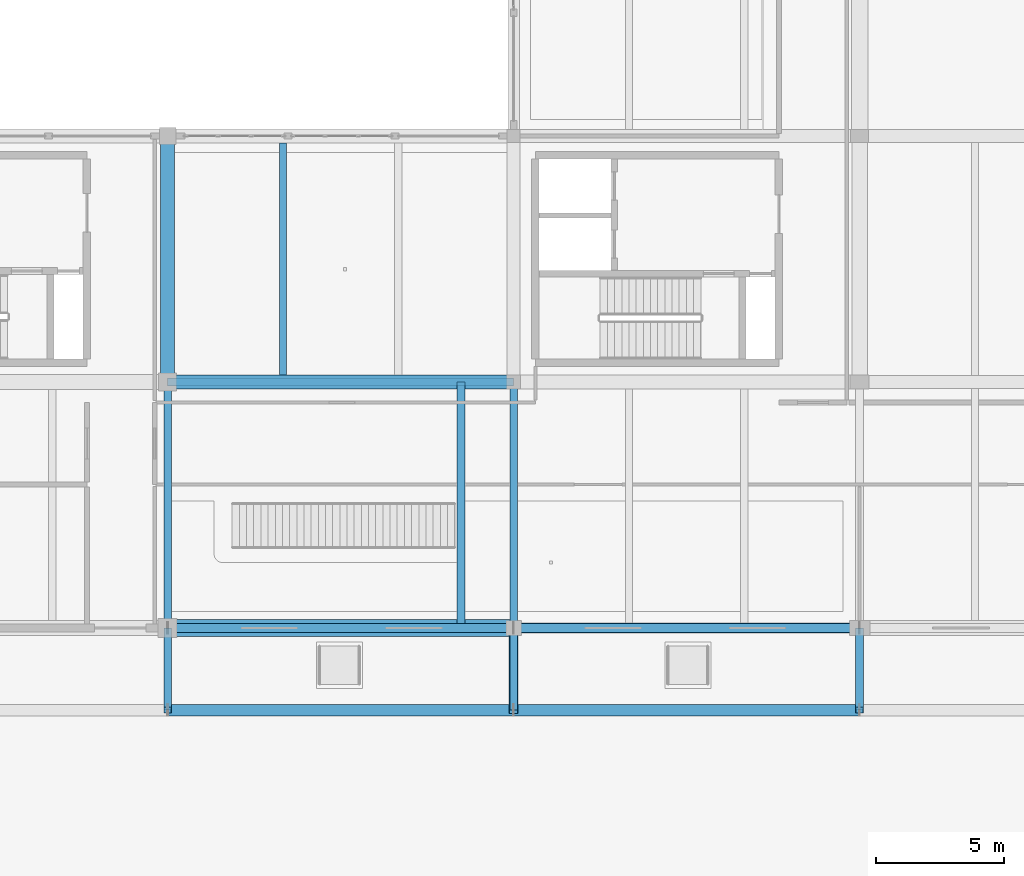
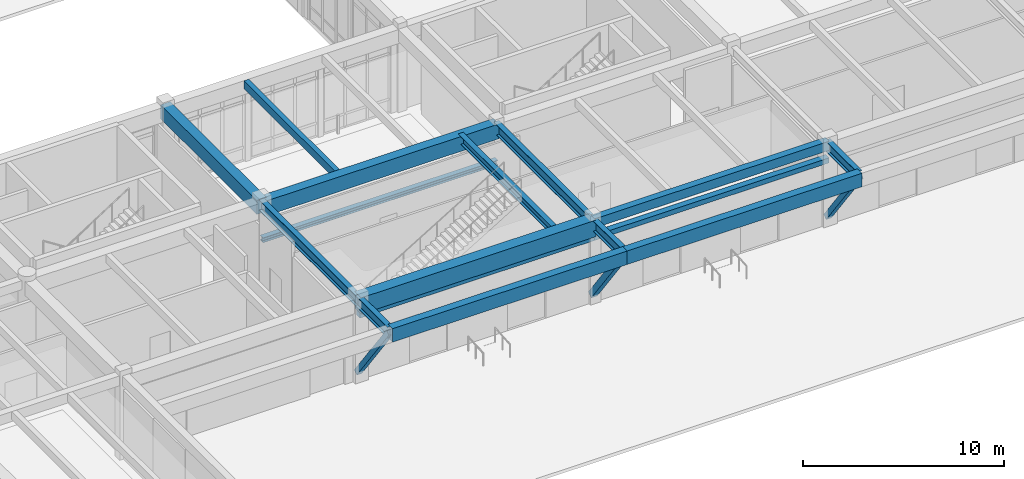
# One storey, part 7 of 138: 16 beams, 3 members.
"""IFC4 building model written with IfcOpenShell, lengths in metres."""

from ifc_helpers import new_model, si_unit, direction, frame, origin, origin_2d, place, context, subcontext, project, spatial, rectangle, hollow_rectangle, i_section, extrude, material, material_profile, profile_set, type_object, element, save


model = new_model("IFC4")

# Units and contexts
model_context = context("Model", 3, precision=1e-05, world=origin(), true_north=direction((0.0, 1.0)))
body_context = subcontext(model_context, "Body", "Model", "MODEL_VIEW")
ifc_project = project(units=[si_unit("LENGTHUNIT", "METRE"), si_unit("AREAUNIT", "SQUARE_METRE"), si_unit("VOLUMEUNIT", "CUBIC_METRE"), si_unit("PLANEANGLEUNIT", "RADIAN"), si_unit("MASSUNIT", "GRAM", prefix="KILO")], contexts=[model_context])

# Site, building, storey
site_placement = place(None, origin())
site = spatial("IfcSite", under=ifc_project, at=site_placement, CompositionType="ELEMENT")
building_placement = place(site_placement, origin())
building = spatial("IfcBuilding", under=site, at=building_placement, Name="Fikremerkos Civic Library", CompositionType="ELEMENT")
storey_placement = place(building_placement, origin())
storey = spatial("IfcBuildingStorey", under=building, at=storey_placement, Name="L00", CompositionType="ELEMENT", Elevation=0.0)

# Beams
ifc_material_1 = material(Name="Concrete C40/50", Category="concrete")
ifc_material_profile_1 = material_profile(ifc_material_1, rectangle(XDim=0.280029296875, YDim=0.47998046875, at=origin_2d()), Name="RC 280x480")
ifc_profile_set_1 = profile_set([ifc_material_profile_1], Name="Concrete C40/50")
beam_type_1 = type_object("IfcBeamType", Name="Floor joist JS-04 RC 280x480", PredefinedType="JOIST", material=ifc_profile_set_1)
beam_1_placement = place(storey_placement, frame((37.199951171875, 21.875, 4.840087890625), z_axis=(0.0, 1.0, 0.0), x_axis=(-1.0, 0.0, 0.0)))
element("IfcBeam", 1, at=beam_1_placement, inside=storey, type_object=beam_type_1, Name="Floor joist JS-04 L00 #302", PredefinedType="JOIST", context=body_context, shape_type="SweptSolid", body=[
    extrude(rectangle(XDim=0.280029296875, YDim=0.47998046875, at=origin_2d()), origin(), (0.0, 0.0, 1.0), 9.050048828125),
])
ifc_material_profile_2 = material_profile(ifc_material_1, rectangle(XDim=0.35009765625, YDim=0.300048828125, at=origin_2d()), Name="RC 350x300")
ifc_profile_set_2 = profile_set([ifc_material_profile_2], Name="Concrete C40/50")
beam_type_2 = type_object("IfcBeamType", Name="Opening lintel LNT-01 RC 350x300", PredefinedType="LINTEL", material=ifc_profile_set_2)
for number, where, z_axis, x_axis, name in (
    (2, (59.699951171875, 12.0, 3.89990234375), (-1.0, 0.0, 0.0), (0.0, -1.0, 0.0), "Exterior doorway head lintel LNT-01 #174"),
    (3, (46.199951171875, 12.0, 3.89990234375), (-1.0, 0.0, 0.0), (0.0, -1.0, 0.0), "Exterior doorway head lintel LNT-01 #175"),
):
    element("IfcBeam", number, at=place(storey_placement, frame(where, z_axis=z_axis, x_axis=x_axis)), inside=storey, type_object=beam_type_2, Name=name, PredefinedType="LINTEL", context=body_context, shape_type="SweptSolid", body=[
        extrude(rectangle(XDim=0.35009765625, YDim=0.300048828125, at=origin_2d()), origin(), (0.0, 0.0, 1.0), 13.5),
    ])
ifc_material_2 = material(Name="Steel S355", Category="steel")
ifc_material_profile_3 = material_profile(ifc_material_2, i_section(OverallWidth=0.300048828125, OverallDepth=0.2900390625, WebThickness=0.008544921875, FlangeThickness=0.013916015625, FilletRadius=0.027099609375, at=origin_2d()), Name="HEA 300")
ifc_profile_set_3 = profile_set([ifc_material_profile_3], Name="Steel S355")
beam_type_3 = type_object("IfcBeamType", Name="Opening lintel LNT-03 HEA 300", PredefinedType="LINTEL", material=ifc_profile_set_3)
beam_2_placement = place(storey_placement, frame((32.699951171875, 21.60009765625, 2.64501953125), z_axis=(1.0, 0.0, 0.0), x_axis=(0.0, 1.0, 0.0)))
element("IfcBeam", 4, at=beam_2_placement, inside=storey, type_object=beam_type_3, Name="Interior portal lintel LNT-03 L00 #5", PredefinedType="LINTEL", context=body_context, shape_type="SweptSolid", body=[
    extrude(i_section(OverallWidth=0.300048828125, OverallDepth=0.2900390625, WebThickness=0.008544921875, FlangeThickness=0.013916015625, FilletRadius=0.027099609375, at=origin_2d()), origin(), (0.0, 0.0, 1.0), 13.5),
])
ifc_material_profile_4 = material_profile(ifc_material_1, rectangle(XDim=0.550048828125, YDim=0.89990234375, at=origin_2d()), Name="RC 550x900")
ifc_profile_set_4 = profile_set([ifc_material_profile_4], Name="Concrete C40/50")
beam_type_4 = type_object("IfcBeamType", Name="Primary girder BM-02 RC 550x900", PredefinedType="BEAM", material=ifc_profile_set_4)
beam_3_placement = place(storey_placement, frame((32.699951171875, 21.60009765625, 4.6298828125), z_axis=(1.0, 0.0, 0.0), x_axis=(0.0, 1.0, 0.0)))
element("IfcBeam", 5, at=beam_3_placement, inside=storey, type_object=beam_type_4, Name="Primary girder BM-02 L00 grid F", PredefinedType="BEAM", context=body_context, shape_type="SweptSolid", body=[
    extrude(rectangle(XDim=0.550048828125, YDim=0.89990234375, at=origin_2d()), origin(), (0.0, 0.0, 1.0), 13.5),
])
ifc_material_profile_5 = material_profile(ifc_material_1, rectangle(XDim=0.550048828125, YDim=0.85009765625, at=origin_2d()), Name="RC 550x850")
ifc_profile_set_5 = profile_set([ifc_material_profile_5], Name="Concrete C40/50")
beam_type_5 = type_object("IfcBeamType", Name="Primary girder BM-03 RC 550x850", PredefinedType="BEAM", material=ifc_profile_set_5)
beam_4_placement = place(storey_placement, frame((32.699951171875, 21.60009765625, 4.655029296875), z_axis=(0.0, 1.0, 0.0), x_axis=(-1.0, 0.0, 0.0)))
element("IfcBeam", 6, at=beam_4_placement, inside=storey, type_object=beam_type_5, Name="Primary girder BM-03 L00 grid 4", PredefinedType="BEAM", context=body_context, shape_type="SweptSolid", body=[
    extrude(rectangle(XDim=0.550048828125, YDim=0.85009765625, at=origin_2d()), origin(), (0.0, 0.0, 1.0), 9.599853515625),
])
ifc_material_profile_6 = material_profile(ifc_material_2, i_section(OverallWidth=0.300048828125, OverallDepth=0.64990234375, WebThickness=0.01611328125, FlangeThickness=0.031005859375, FilletRadius=0.027099609375, at=origin_2d()), Name="HEB 650")
ifc_profile_set_6 = profile_set([ifc_material_profile_6], Name="Steel S355")
beam_type_6 = type_object("IfcBeamType", Name="Primary girder BM-12 HEB 650", PredefinedType="BEAM", material=ifc_profile_set_6)
for number, where, z_axis, x_axis, name in (
    (7, (32.699951171875, 12.0, 4.7548828125), (0.0, 1.0, 0.0), (-1.0, 0.0, 0.0), "Primary girder BM-12 L00 grid 4"),
    (8, (46.199951171875, 12.0, 4.7548828125), (0.0, 1.0, 0.0), (-1.0, 0.0, 0.0), "Primary girder BM-12 L00 grid 5"),
):
    element("IfcBeam", number, at=place(storey_placement, frame(where, z_axis=z_axis, x_axis=x_axis)), inside=storey, type_object=beam_type_6, Name=name, PredefinedType="BEAM", context=body_context, shape_type="SweptSolid", body=[
        extrude(i_section(OverallWidth=0.300048828125, OverallDepth=0.64990234375, WebThickness=0.01611328125, FlangeThickness=0.031005859375, FilletRadius=0.027099609375, at=origin_2d()), origin(), (0.0, 0.0, 1.0), 9.60009765625),
    ])
for number, where, z_axis, x_axis, name in (
    (9, (32.699951171875, 12.0, 4.7548828125), (0.0, -1.0, 0.0), (1.0, 0.0, 0.0), "Cantilever girder BM-12 L00 X=32.7"),
    (10, (46.199951171875, 12.0, 4.7548828125), (0.0, -1.0, 0.0), (1.0, 0.0, 0.0), "Cantilever girder BM-12 L00 X=46.2"),
    (11, (59.699951171875, 12.0, 4.7548828125), (0.0, -1.0, 0.0), (1.0, 0.0, 0.0), "Cantilever girder BM-12 L00 X=59.7"),
):
    element("IfcBeam", number, at=place(storey_placement, frame(where, z_axis=z_axis, x_axis=x_axis)), inside=storey, type_object=beam_type_6, Name=name, PredefinedType="BEAM", context=body_context, shape_type="SweptSolid", body=[
        extrude(i_section(OverallWidth=0.300048828125, OverallDepth=0.64990234375, WebThickness=0.01611328125, FlangeThickness=0.031005859375, FilletRadius=0.027099609375, at=origin_2d()), origin(), (0.0, 0.0, 1.0), 3.199951171875),
    ])
ifc_material_profile_7 = material_profile(ifc_material_2, i_section(OverallWidth=0.300048828125, OverallDepth=0.489990234375, WebThickness=0.011962890625, FlangeThickness=0.02294921875, FilletRadius=0.027099609375, at=origin_2d()), Name="HEA 500")
ifc_profile_set_7 = profile_set([ifc_material_profile_7], Name="Steel S355")
beam_type_7 = type_object("IfcBeamType", Name="Primary girder BM-17 HEA 500", PredefinedType="BEAM", material=ifc_profile_set_7)
beam_5_placement = place(storey_placement, frame((44.14990234375, 12.0, 4.8349609375), z_axis=(0.0, 1.0, 0.0), x_axis=(-1.0, 0.0, 0.0)))
element("IfcBeam", 12, at=beam_5_placement, inside=storey, type_object=beam_type_7, Name="Feature stair arrival trimmer girder BM-17 L00", PredefinedType="BEAM", context=body_context, shape_type="SweptSolid", body=[
    extrude(i_section(OverallWidth=0.300048828125, OverallDepth=0.489990234375, WebThickness=0.011962890625, FlangeThickness=0.02294921875, FilletRadius=0.027099609375, at=origin_2d()), origin(), (0.0, 0.0, 1.0), 9.60009765625),
])
ifc_material_3 = material(Name="Concrete C45/55", Category="concrete")
ifc_material_profile_8 = material_profile(ifc_material_3, rectangle(XDim=0.64990234375, YDim=1.0, at=origin_2d()), Name="RC 650x1000")
ifc_profile_set_8 = profile_set([ifc_material_profile_8], Name="Concrete C45/55")
beam_type_8 = type_object("IfcBeamType", Name="Primary girder BM-25 RC 650x1000", PredefinedType="BEAM", material=ifc_profile_set_8)
beam_6_placement = place(storey_placement, frame((32.699951171875, 12.0, 4.580078125), z_axis=(1.0, 0.0, 0.0), x_axis=(0.0, 1.0, 0.0)))
element("IfcBeam", 13, at=beam_6_placement, inside=storey, type_object=beam_type_8, Name="Primary girder BM-25 L00 grid E", PredefinedType="BEAM", context=body_context, shape_type="SweptSolid", body=[
    extrude(rectangle(XDim=0.64990234375, YDim=1.0, at=origin_2d()), origin(), (0.0, 0.0, 1.0), 13.5),
])
ifc_material_profile_9 = material_profile(ifc_material_1, rectangle(XDim=0.39990234375, YDim=0.550048828125, at=origin_2d()), Name="RC 400x550")
ifc_profile_set_9 = profile_set([ifc_material_profile_9], Name="Concrete C40/50")
beam_type_9 = type_object("IfcBeamType", Name="Primary girder BM-26 RC 400x550", PredefinedType="BEAM", material=ifc_profile_set_9)
beam_7_placement = place(storey_placement, frame((46.199951171875, 12.0, 4.804931640625), z_axis=(1.0, 0.0, 0.0), x_axis=(0.0, 1.0, 0.0)))
element("IfcBeam", 14, at=beam_7_placement, inside=storey, type_object=beam_type_9, Name="Primary girder BM-26 L00 grid E", PredefinedType="BEAM", context=body_context, shape_type="SweptSolid", body=[
    extrude(rectangle(XDim=0.39990234375, YDim=0.550048828125, at=origin_2d()), origin(), (0.0, 0.0, 1.0), 13.5),
])

# Members
ifc_material_profile_10 = material_profile(ifc_material_2, hollow_rectangle(XDim=0.35009765625, YDim=0.35009765625, WallThickness=0.01611328125, at=origin_2d()), Name="SHS 350x350x16")
ifc_profile_set_10 = profile_set([ifc_material_profile_10], Name="Steel S355")
member_type_1 = type_object("IfcMemberType", Name="Raking strut STR-01 SHS 350x350x16", PredefinedType="STRUT", material=ifc_profile_set_10)
member_placement = place(storey_placement, frame((46.199951171875, 12.0, 0.39990234375), z_axis=(0.0, -0.592121340172, 0.805848818646), x_axis=(1.0, 0.0, 0.0)))
element("IfcMember", 15, at=member_placement, inside=storey, type_object=member_type_1, Name="Raking cantilever strut STR-01 L00 X=46.2", PredefinedType="STRUT", context=body_context, shape_type="SweptSolid", body=[
    extrude(hollow_rectangle(XDim=0.35009765625, YDim=0.35009765625, WallThickness=0.01611328125, at=origin_2d()), origin(), (0.0, 0.0, 1.0), 5.404296875),
])
ifc_material_profile_11 = material_profile(ifc_material_2, hollow_rectangle(XDim=0.300048828125, YDim=0.300048828125, WallThickness=0.01611328125, at=origin_2d()), Name="SHS 300x300x16")
ifc_profile_set_11 = profile_set([ifc_material_profile_11], Name="Steel S355")
member_type_2 = type_object("IfcMemberType", Name="Raking strut STR-02 SHS 300x300x16", PredefinedType="STRUT", material=ifc_profile_set_11)
for number, where, z_axis, x_axis, name in (
    (16, (32.699951171875, 12.0, 0.39990234375), (0.0, -0.592121340172, 0.805848818646), (1.0, 0.0, 0.0), "Raking cantilever strut STR-02 L00 X=32.7"),
    (17, (59.699951171875, 12.0, 0.39990234375), (0.0, -0.592121340172, 0.805848818646), (1.0, 0.0, 0.0), "Raking cantilever strut STR-02 L00 X=59.7"),
):
    element("IfcMember", number, at=place(storey_placement, frame(where, z_axis=z_axis, x_axis=x_axis)), inside=storey, type_object=member_type_2, Name=name, PredefinedType="STRUT", context=body_context, shape_type="SweptSolid", body=[
        extrude(hollow_rectangle(XDim=0.300048828125, YDim=0.300048828125, WallThickness=0.01611328125, at=origin_2d()), origin(), (0.0, 0.0, 1.0), 5.404296875),
    ])

# Beams
ifc_material_profile_12 = material_profile(ifc_material_1, rectangle(XDim=0.449951171875, YDim=0.820068359375, at=origin_2d()), Name="RC 450x820")
ifc_profile_set_12 = profile_set([ifc_material_profile_12], Name="Concrete C40/50")
beam_type_10 = type_object("IfcBeamType", Name="Spandrel edge beam SPB-02 RC 450x820", PredefinedType="SPANDREL", material=ifc_profile_set_12)
for number, where, z_axis, x_axis, name in (
    (18, (32.699951171875, 8.800048828125, 4.669921875), (1.0, 0.0, 0.0), (0.0, 1.0, 0.0), "Spandrel edge beam SPB-02 L00 Y=8.8 bay 2"),
    (19, (46.199951171875, 8.800048828125, 4.669921875), (1.0, 0.0, 0.0), (0.0, 1.0, 0.0), "Spandrel edge beam SPB-02 L00 Y=8.8 bay 3"),
):
    element("IfcBeam", number, at=place(storey_placement, frame(where, z_axis=z_axis, x_axis=x_axis)), inside=storey, type_object=beam_type_10, Name=name, PredefinedType="SPANDREL", context=body_context, shape_type="SweptSolid", body=[
        extrude(rectangle(XDim=0.449951171875, YDim=0.820068359375, at=origin_2d()), origin(), (0.0, 0.0, 1.0), 13.5),
    ])

save(model, "model.ifc")
